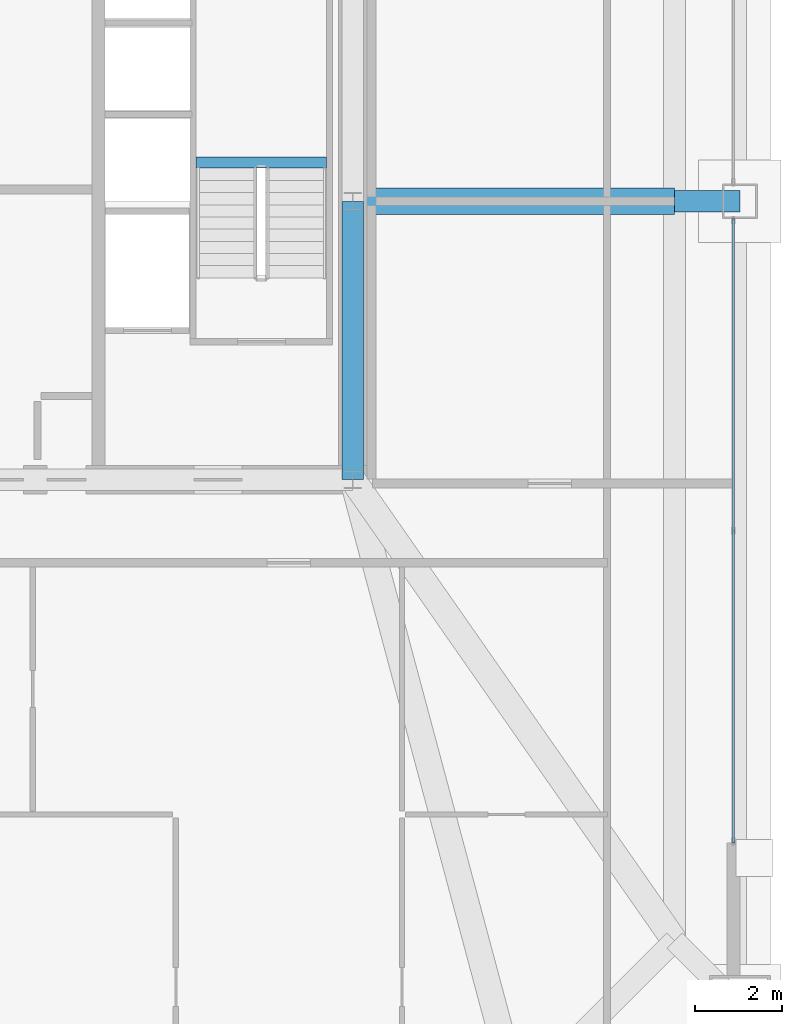
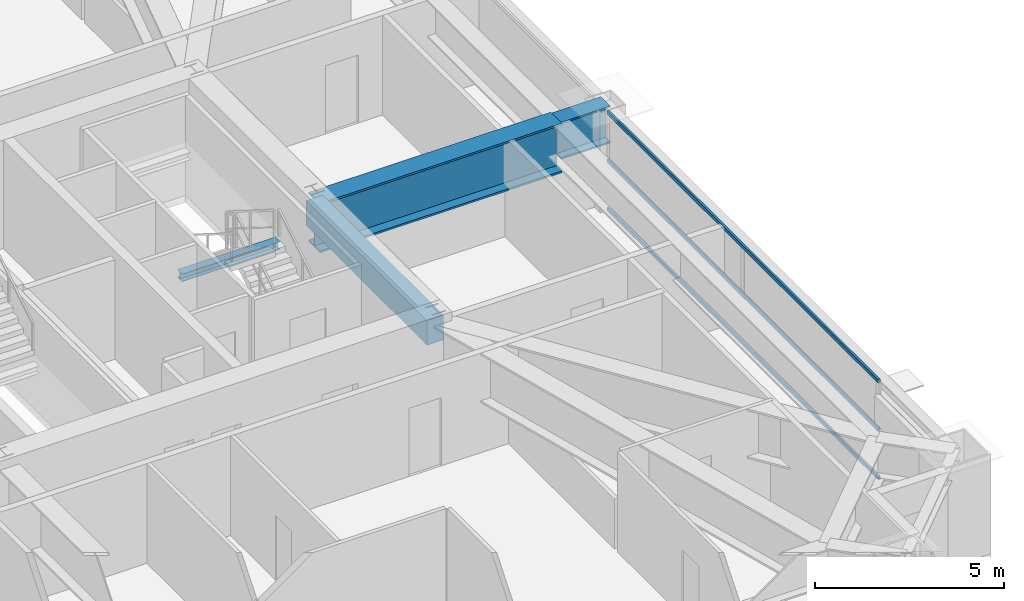
# One storey, part 19 of 39: 4 beams, 3 members, 1 element without a shape of its own.
"""IFC4 building model written with IfcOpenShell, lengths in metres."""

from ifc_helpers import new_model, si_unit, direction, frame, origin, origin_2d, place, context, subcontext, project, spatial, rectangle, hollow_rectangle, i_section, extrude, source, transform, mapped, material, layer, layer_set, material_profile, profile_set, type_object, element, aggregate, save


model = new_model("IFC4")

# Units and contexts
model_context = context("Model", 3, precision=1e-05, world=origin(), true_north=direction((0.0, 1.0)))
body_context = subcontext(model_context, "Body", "Model", "MODEL_VIEW")
ifc_project = project(units=[si_unit("LENGTHUNIT", "METRE"), si_unit("AREAUNIT", "SQUARE_METRE"), si_unit("VOLUMEUNIT", "CUBIC_METRE"), si_unit("PLANEANGLEUNIT", "RADIAN"), si_unit("MASSUNIT", "GRAM", prefix="KILO"), si_unit("THERMODYNAMICTEMPERATUREUNIT", "KELVIN"), si_unit("POWERUNIT", "WATT")], contexts=[model_context])

# Site, building, storey
site_placement = place(None, origin())
site = spatial("IfcSite", under=ifc_project, at=site_placement, CompositionType="ELEMENT")
building_placement = place(site_placement, origin())
building = spatial("IfcBuilding", under=site, at=building_placement, Name="Yuzanri Waterfront Tower", CompositionType="ELEMENT")
storey_placement = place(building_placement, frame((0.0, 0.0, 216.0)))
storey = spatial("IfcBuildingStorey", under=building, at=storey_placement, Name="L57", CompositionType="ELEMENT", Elevation=216.0)

# Beams
ifc_material_1 = material(Name="Steel Q420GJC", Category="steel")
ifc_material_profile_1 = material_profile(ifc_material_1, i_section(OverallWidth=0.5, OverallDepth=1.199951171875, WebThickness=0.028076171875, FlangeThickness=0.050048828125, at=origin_2d()), Name="PG 1200x500x28x50")
ifc_profile_set_1 = profile_set([ifc_material_profile_1], Name="Steel Q420GJC")
beam_type_1 = type_object("IfcBeamType", Name="Setback Transfer Girder Q420GJC PG 1200x500", PredefinedType="USERDEFINED", material=ifc_profile_set_1)
shared_shape_1 = source(origin(), body_context, "Body", "SweptSolid", [
    extrude(i_section(OverallWidth=0.5, OverallDepth=1.199951171875, WebThickness=0.028076171875, FlangeThickness=0.050048828125, at=origin_2d()), origin(), (0.0, 0.0, 1.0), 1.5),
])
beam_1_placement = place(storey_placement, frame((57.60009765625, 25.800048828125, 2.6201171875), z_axis=(1.0, 0.0, 0.0), x_axis=(0.0, 1.0, 0.0)))
element("IfcBeam", 1, at=beam_1_placement, inside=storey, type_object=beam_type_1, Name="L57 Setback Step Transfer E2", ObjectType="GIRDER", PredefinedType="USERDEFINED", context=body_context, shape_type="MappedRepresentation", body=[
    mapped(shared_shape_1, transform((0.0, 0.0, 0.0), scale=1.0)),
])
ifc_material_2 = material(Name="Concrete C50", Category="concrete")
ifc_material_profile_2 = material_profile(ifc_material_2, rectangle(XDim=0.5, YDim=0.800048828125, at=origin_2d()), Name="RC 500x800")
ifc_profile_set_2 = profile_set([ifc_material_profile_2], Name="Concrete C50")
beam_type_2 = type_object("IfcBeamType", Name="Core Coupling Lintel Concrete C50 500x800", PredefinedType="LINTEL", material=ifc_profile_set_2)
shared_shape_2 = source(origin(), body_context, "Body", "SweptSolid", [
    extrude(rectangle(XDim=0.5, YDim=0.800048828125, at=origin_2d()), origin(), (0.0, 0.0, 1.0), 6.400146484375),
])
beam_2_placement = place(storey_placement, frame((50.199951171875, 19.39990234375, 2.820068359375), z_axis=(0.0, 1.0, 0.0), x_axis=(-1.0, 0.0, 0.0)))
element("IfcBeam", 2, at=beam_2_placement, inside=storey, type_object=beam_type_2, Name="L57 Core Tie Beam CE1", PredefinedType="LINTEL", context=body_context, shape_type="MappedRepresentation", body=[
    mapped(shared_shape_2, transform((0.0, 0.0, 0.0), scale=1.0)),
])
ifc_material_3 = material(Name="Steel Q420GJC", Category="steel")
ifc_material_profile_3 = material_profile(ifc_material_3, i_section(OverallWidth=0.60009765625, OverallDepth=1.60009765625, WebThickness=0.031982421875, FlangeThickness=0.06005859375, at=origin_2d()), Name="PG 1600x600x32x60")
ifc_profile_set_3 = profile_set([ifc_material_profile_3], Name="Steel Q420GJC")
beam_type_3 = type_object("IfcBeamType", Name="Ballroom Transfer Girder Q420GJC PG 1600x600", PredefinedType="USERDEFINED", material=ifc_profile_set_3)
shared_shape_3 = source(origin(), body_context, "Body", "SweptSolid", [
    extrude(i_section(OverallWidth=0.60009765625, OverallDepth=1.60009765625, WebThickness=0.031982421875, FlangeThickness=0.06005859375, at=origin_2d()), origin(), (0.0, 0.0, 1.0), 7.400146484375),
])
beam_3_placement = place(storey_placement, frame((50.199951171875, 25.800048828125, 2.419921875), z_axis=(1.0, 0.0, 0.0), x_axis=(0.0, 1.0, 0.0)))
element("IfcBeam", 3, at=beam_3_placement, inside=storey, type_object=beam_type_3, Name="L57 Setback Inner Transfer E2", ObjectType="GIRDER", PredefinedType="USERDEFINED", context=body_context, shape_type="MappedRepresentation", body=[
    mapped(shared_shape_3, transform((0.0, 0.0, 0.0), scale=1.0)),
])

# Curtain wall, members
ifc_material_4 = material(Name="Anodized Architectural Bronze", Category="metal")
ifc_layer = layer(ifc_material_4, 0.159912109375)
ifc_layer_set = layer_set([ifc_layer], Name="Anodized Architectural Bronze")
curtain_wall_type = type_object("IfcCurtainWallType", Name="Anodized Bronze Mid-Rise Residential Acoustic Unitized Curtain Wall 7200", PredefinedType="NOTDEFINED", material=ifc_layer_set)
curtain_wall_placement = place(storey_placement, origin())
curtain_wall = element("IfcCurtainWall", 4, at=curtain_wall_placement, inside=storey, type_object=curtain_wall_type, Name="L57 Curtain Wall CW-L57-EL", PredefinedType="NOTDEFINED")
ifc_material_5 = material(Name="Anodized Architectural Bronze", Category="metal")
ifc_material_profile_4 = material_profile(ifc_material_5, hollow_rectangle(XDim=0.06494140625, YDim=0.1201171875, WallThickness=0.00341796875, at=origin_2d()), Name="CWT 65x120")
ifc_profile_set_4 = profile_set([ifc_material_profile_4], Name="Anodized Architectural Bronze")
member_type = type_object("IfcMemberType", Name="Anodized Bronze Secondary Curtain-Wall Transom 65x120", PredefinedType="USERDEFINED", material=ifc_profile_set_4)
shared_shape_4 = source(origin(), body_context, "Body", "SweptSolid", [
    extrude(hollow_rectangle(XDim=0.06494140625, YDim=0.1201171875, WallThickness=0.00341796875, at=origin_2d()), origin(), (0.0, 0.0, 1.0), 14.349853515625),
])
member_1_placement = place(storey_placement, frame((58.949951171875, 11.050048828125, 0.050048828125), z_axis=(0.0, 1.0, 0.0), x_axis=(-1.0, 0.0, 0.0)))
member_1 = element("IfcMember", 5, at=member_1_placement, type_object=member_type, Name="CW-L57-EL Transom 1", ObjectType="TRANSOM", PredefinedType="USERDEFINED", context=body_context, shape_type="MappedRepresentation", body=[
    mapped(shared_shape_4, transform((0.0, 0.0, 0.0), scale=1.0)),
])
member_2_placement = place(storey_placement, frame((58.949951171875, 11.050048828125, 1.610107421875), z_axis=(0.0, 1.0, 0.0), x_axis=(-1.0, 0.0, 0.0)))
member_2 = element("IfcMember", 6, at=member_2_placement, type_object=member_type, Name="CW-L57-EL Transom 2", ObjectType="TRANSOM", PredefinedType="USERDEFINED", context=body_context, shape_type="MappedRepresentation", body=[
    mapped(shared_shape_4, transform((0.0, 0.0, 0.0), scale=1.0)),
])
member_3_placement = place(storey_placement, frame((58.949951171875, 11.050048828125, 3.169921875), z_axis=(0.0, 1.0, 0.0), x_axis=(-1.0, 0.0, 0.0)))
member_3 = element("IfcMember", 7, at=member_3_placement, type_object=member_type, Name="CW-L57-EL Transom 3", ObjectType="TRANSOM", PredefinedType="USERDEFINED", context=body_context, shape_type="MappedRepresentation", body=[
    mapped(shared_shape_4, transform((0.0, 0.0, 0.0), scale=1.0)),
])
aggregate(curtain_wall, [member_1, member_2, member_3])

# Beam
ifc_material_6 = material(Name="Steel Q355B", Category="steel")
ifc_material_profile_5 = material_profile(ifc_material_6, i_section(OverallWidth=0.25, OverallDepth=0.25, WebThickness=0.009033203125, FlangeThickness=0.013916015625, at=origin_2d()), Name="HW 250x250x9x14")
ifc_profile_set_5 = profile_set([ifc_material_profile_5], Name="Steel Q355B")
beam_type_4 = type_object("IfcBeamType", Name="Stair Landing Support Beam Q355B HW 250x250", PredefinedType="BEAM", material=ifc_profile_set_5)
shared_shape_5 = source(origin(), body_context, "Body", "SweptSolid", [
    extrude(i_section(OverallWidth=0.25, OverallDepth=0.25, WebThickness=0.009033203125, FlangeThickness=0.013916015625, at=origin_2d()), origin(), (0.0, 0.0, 1.0), 3.0),
])
beam_4_placement = place(storey_placement, frame((46.60009765625, 26.68994140625, 1.425048828125), z_axis=(1.0, 0.0, 0.0), x_axis=(0.0, 1.0, 0.0)))
element("IfcBeam", 8, at=beam_4_placement, inside=storey, type_object=beam_type_4, Name="L57 Stair Landing Support Beam ST-02-L57-L1-1", PredefinedType="BEAM", context=body_context, shape_type="MappedRepresentation", body=[
    mapped(shared_shape_5, transform((0.0, 0.0, 0.0), scale=1.0)),
])

save(model, "model.ifc")
